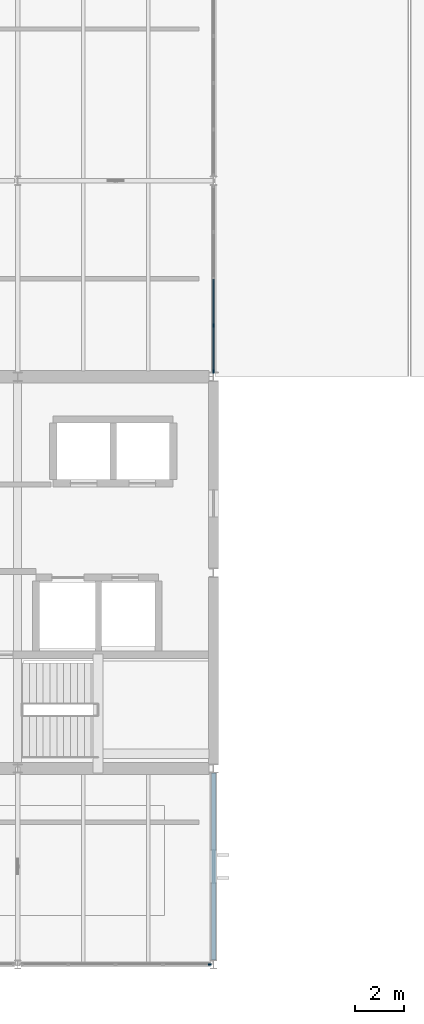
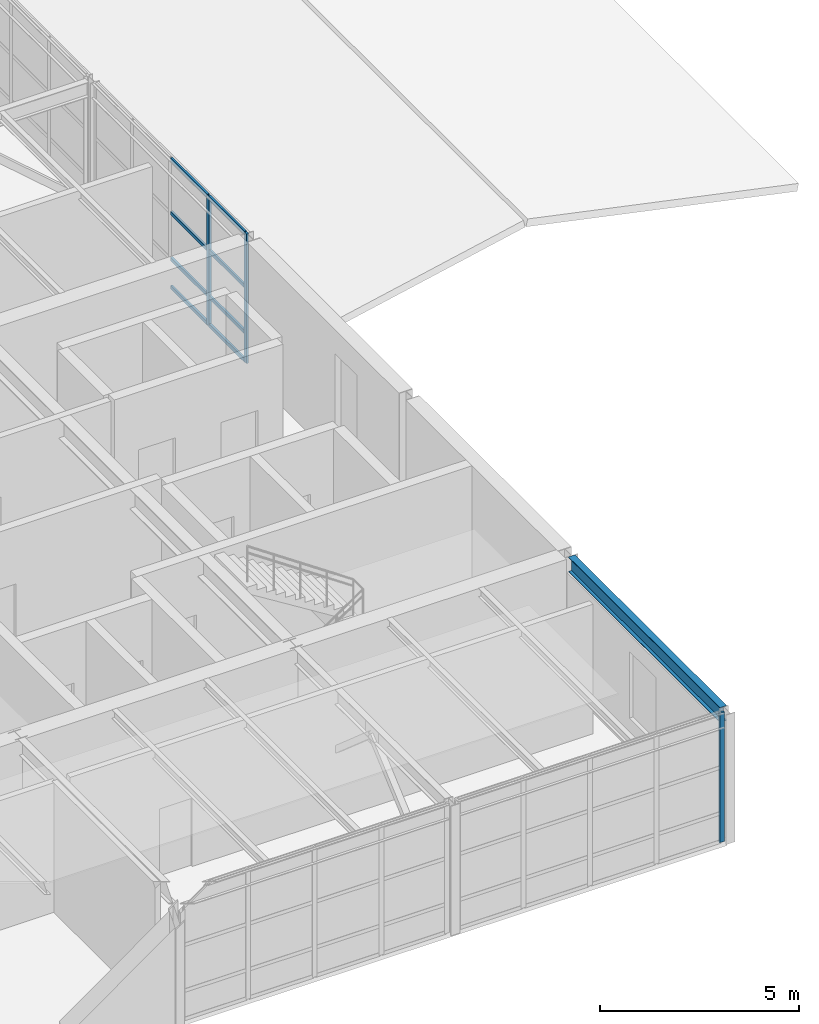
# One storey, part 7 of 20: 11 members, 1 beam, 2 elements without a shape of their own.
"""IFC4 building model written with IfcOpenShell, lengths in metres."""

from ifc_helpers import new_model, si_unit, direction, frame, origin, origin_2d, place, context, subcontext, project, spatial, rectangle, i_section, extrude, material, layer, layer_set, material_profile, profile_set, type_object, element, aggregate, save


model = new_model("IFC4")

# Units and contexts
model_context = context("Model", 3, precision=1e-05, world=origin(), true_north=direction((0.0, 1.0)))
body_context = subcontext(model_context, "Body", "Model", "MODEL_VIEW")
ifc_project = project(units=[si_unit("LENGTHUNIT", "METRE"), si_unit("AREAUNIT", "SQUARE_METRE"), si_unit("VOLUMEUNIT", "CUBIC_METRE"), si_unit("PLANEANGLEUNIT", "RADIAN"), si_unit("MASSUNIT", "GRAM", prefix="KILO")], contexts=[model_context])

# Site, building, storey
site_placement = place(None, origin())
site = spatial("IfcSite", under=ifc_project, at=site_placement, CompositionType="ELEMENT")
building_placement = place(site_placement, origin())
building = spatial("IfcBuilding", under=site, at=building_placement, Name="Varnela Railside Interchange", CompositionType="ELEMENT")
storey_placement = place(building_placement, frame((0.0, 0.0, 28.0)))
storey = spatial("IfcBuildingStorey", under=building, at=storey_placement, Name="L06", CompositionType="ELEMENT", Elevation=28.0)

# Curtain wall, member
ifc_material_1 = material(Name="Aluminium 6063-T6", Category="aluminium")
ifc_layer = layer(ifc_material_1, 0.035888671875)
ifc_layer_set = layer_set([ifc_layer], Name="Aluminium 6063-T6")
curtain_wall_type = type_object("IfcCurtainWallType", Name="Operations Wing Facade Curtain Wall CW-03", PredefinedType="USERDEFINED", material=ifc_layer_set)
curtain_wall_1_placement = place(storey_placement, origin())
curtain_wall_1 = element("IfcCurtainWall", 1, at=curtain_wall_1_placement, inside=storey, type_object=curtain_wall_type, Name="Curtain Wall CW-03 (L06) (CW-137)", ObjectType="CURTAIN WALL", PredefinedType="USERDEFINED")
ifc_material_profile_1 = material_profile(ifc_material_1, rectangle(XDim=0.06005859375, YDim=0.139892578125, at=origin_2d()), Name="ALU 60x140")
ifc_profile_set_1 = profile_set([ifc_material_profile_1], Name="Aluminium 6063-T6")
member_type_1 = type_object("IfcMemberType", Name="Curtain Wall Mullion ML-01", PredefinedType="MULLION", material=ifc_profile_set_1)
member_1_placement = place(storey_placement, frame((35.841552734375, 46.0, 0.0), z_axis=(0.0, 0.0, 1.0), x_axis=(0.0, -1.0, 0.0)))
member_1 = element("IfcMember", 2, at=member_1_placement, type_object=member_type_1, Name="CW-03 mullion 1", PredefinedType="MULLION", context=body_context, shape_type="SweptSolid", body=[
    extrude(rectangle(XDim=0.06005859375, YDim=0.139892578125, at=origin_2d()), origin(), (0.0, 0.0, 1.0), 3.97998046875),
])
aggregate(curtain_wall_1, [member_1])

# Curtain wall, members
curtain_wall_2_placement = place(storey_placement, origin())
curtain_wall_2 = element("IfcCurtainWall", 3, at=curtain_wall_2_placement, inside=storey, type_object=curtain_wall_type, Name="Curtain Wall CW-03 (L06) (CW-143)", ObjectType="CURTAIN WALL", PredefinedType="USERDEFINED")
member_2_placement = place(storey_placement, frame((36.0, 72.089599609375, 0.0), z_axis=(0.0, 0.0, 1.0), x_axis=(1.0, 0.0, 0.0)))
member_2 = element("IfcMember", 4, at=member_2_placement, type_object=member_type_1, Name="CW-03 mullion 4", PredefinedType="MULLION", context=body_context, shape_type="SweptSolid", body=[
    extrude(rectangle(XDim=0.06005859375, YDim=0.139892578125, at=origin_2d()), origin(), (0.0, 0.0, 1.0), 3.97998046875),
])
member_3_placement = place(storey_placement, frame((36.0, 70.2099609375, 0.0), z_axis=(0.0, 0.0, 1.0), x_axis=(1.0, 0.0, 0.0)))
member_3 = element("IfcMember", 5, at=member_3_placement, type_object=member_type_1, Name="CW-03 mullion 5", PredefinedType="MULLION", context=body_context, shape_type="SweptSolid", body=[
    extrude(rectangle(XDim=0.06005859375, YDim=0.139892578125, at=origin_2d()), origin(), (0.0, 0.0, 1.0), 3.97998046875),
])
ifc_material_profile_2 = material_profile(ifc_material_1, rectangle(XDim=0.06005859375, YDim=0.110107421875, at=origin_2d()), Name="ALU 60x110")
ifc_profile_set_2 = profile_set([ifc_material_profile_2], Name="Aluminium 6063-T6")
member_type_2 = type_object("IfcMemberType", Name="Curtain Wall Transom TR-01", PredefinedType="USERDEFINED", material=ifc_profile_set_2)
member_4_placement = place(storey_placement, frame((36.0, 73.96923828125, 0.030029296875), z_axis=(0.0, -1.0, 0.0), x_axis=(1.0, 0.0, 0.0)))
member_4 = element("IfcMember", 6, at=member_4_placement, type_object=member_type_2, Name="CW-03 transom 3.1", ObjectType="TRANSOM", PredefinedType="USERDEFINED", context=body_context, shape_type="SweptSolid", body=[
    extrude(rectangle(XDim=0.06005859375, YDim=0.110107421875, at=origin_2d()), origin(), (0.0, 0.0, 1.0), 1.849609375),
])
member_5_placement = place(storey_placement, frame((36.0, 73.96923828125, 0.89990234375), z_axis=(0.0, -1.0, 0.0), x_axis=(1.0, 0.0, 0.0)))
member_5 = element("IfcMember", 7, at=member_5_placement, type_object=member_type_2, Name="CW-03 transom 3.2", ObjectType="TRANSOM", PredefinedType="USERDEFINED", context=body_context, shape_type="SweptSolid", body=[
    extrude(rectangle(XDim=0.06005859375, YDim=0.110107421875, at=origin_2d()), origin(), (0.0, 0.0, 1.0), 1.849609375),
])
member_6_placement = place(storey_placement, frame((36.0, 73.96923828125, 2.308349609375), z_axis=(0.0, -1.0, 0.0), x_axis=(1.0, 0.0, 0.0)))
member_6 = element("IfcMember", 8, at=member_6_placement, type_object=member_type_2, Name="CW-03 transom 3.3", ObjectType="TRANSOM", PredefinedType="USERDEFINED", context=body_context, shape_type="SweptSolid", body=[
    extrude(rectangle(XDim=0.06005859375, YDim=0.110107421875, at=origin_2d()), origin(), (0.0, 0.0, 1.0), 1.849609375),
])
member_7_placement = place(storey_placement, frame((36.0, 73.96923828125, 3.949951171875), z_axis=(0.0, -1.0, 0.0), x_axis=(1.0, 0.0, 0.0)))
member_7 = element("IfcMember", 9, at=member_7_placement, type_object=member_type_2, Name="CW-03 transom 3.4", ObjectType="TRANSOM", PredefinedType="USERDEFINED", context=body_context, shape_type="SweptSolid", body=[
    extrude(rectangle(XDim=0.06005859375, YDim=0.110107421875, at=origin_2d()), origin(), (0.0, 0.0, 1.0), 1.849609375),
])
member_8_placement = place(storey_placement, frame((36.0, 72.0595703125, 0.030029296875), z_axis=(0.0, -1.0, 0.0), x_axis=(1.0, 0.0, 0.0)))
member_8 = element("IfcMember", 10, at=member_8_placement, type_object=member_type_2, Name="CW-03 transom 4.1", ObjectType="TRANSOM", PredefinedType="USERDEFINED", context=body_context, shape_type="SweptSolid", body=[
    extrude(rectangle(XDim=0.06005859375, YDim=0.110107421875, at=origin_2d()), origin(), (0.0, 0.0, 1.0), 1.819580078125),
])
member_9_placement = place(storey_placement, frame((36.0, 72.0595703125, 0.89990234375), z_axis=(0.0, -1.0, 0.0), x_axis=(1.0, 0.0, 0.0)))
member_9 = element("IfcMember", 11, at=member_9_placement, type_object=member_type_2, Name="CW-03 transom 4.2", ObjectType="TRANSOM", PredefinedType="USERDEFINED", context=body_context, shape_type="SweptSolid", body=[
    extrude(rectangle(XDim=0.06005859375, YDim=0.110107421875, at=origin_2d()), origin(), (0.0, 0.0, 1.0), 1.819580078125),
])
member_10_placement = place(storey_placement, frame((36.0, 72.0595703125, 2.308349609375), z_axis=(0.0, -1.0, 0.0), x_axis=(1.0, 0.0, 0.0)))
member_10 = element("IfcMember", 12, at=member_10_placement, type_object=member_type_2, Name="CW-03 transom 4.3", ObjectType="TRANSOM", PredefinedType="USERDEFINED", context=body_context, shape_type="SweptSolid", body=[
    extrude(rectangle(XDim=0.06005859375, YDim=0.110107421875, at=origin_2d()), origin(), (0.0, 0.0, 1.0), 1.819580078125),
])
member_11_placement = place(storey_placement, frame((36.0, 72.0595703125, 3.949951171875), z_axis=(0.0, -1.0, 0.0), x_axis=(1.0, 0.0, 0.0)))
member_11 = element("IfcMember", 13, at=member_11_placement, type_object=member_type_2, Name="CW-03 transom 4.4", ObjectType="TRANSOM", PredefinedType="USERDEFINED", context=body_context, shape_type="SweptSolid", body=[
    extrude(rectangle(XDim=0.06005859375, YDim=0.110107421875, at=origin_2d()), origin(), (0.0, 0.0, 1.0), 1.819580078125),
])
aggregate(curtain_wall_2, [member_2, member_3, member_4, member_5, member_6, member_7, member_8, member_9, member_10, member_11])

# Beam
ifc_material_2 = material(Name="Steel AR 350 (350 MPa)", Category="steel")
ifc_material_profile_3 = material_profile(ifc_material_2, i_section(OverallWidth=0.19091796875, OverallDepth=0.4599609375, WebThickness=0.010009765625, FlangeThickness=0.01611328125, at=origin_2d()), Name="W460x82")
ifc_profile_set_3 = profile_set([ifc_material_profile_3], Name="Steel AR 350 (350 MPa)")
beam_type = type_object("IfcBeamType", Name="Steel Perimeter Spandrel SP-01", PredefinedType="SPANDREL", material=ifc_profile_set_3)
beam_placement = place(storey_placement, frame((36.0, 46.181396484375, 3.75), z_axis=(0.0, 1.0, 0.0), x_axis=(-1.0, 0.0, 0.0)))
element("IfcBeam", 14, at=beam_placement, inside=storey, type_object=beam_type, Name="Steel Perimeter Spandrel SP-01 (L06) (BM-2714)", PredefinedType="SPANDREL", context=body_context, shape_type="SweptSolid", body=[
    extrude(i_section(OverallWidth=0.19091796875, OverallDepth=0.4599609375, WebThickness=0.010009765625, FlangeThickness=0.01611328125, at=origin_2d()), origin(), (0.0, 0.0, 1.0), 7.638671875),
])

save(model, "model.ifc")
